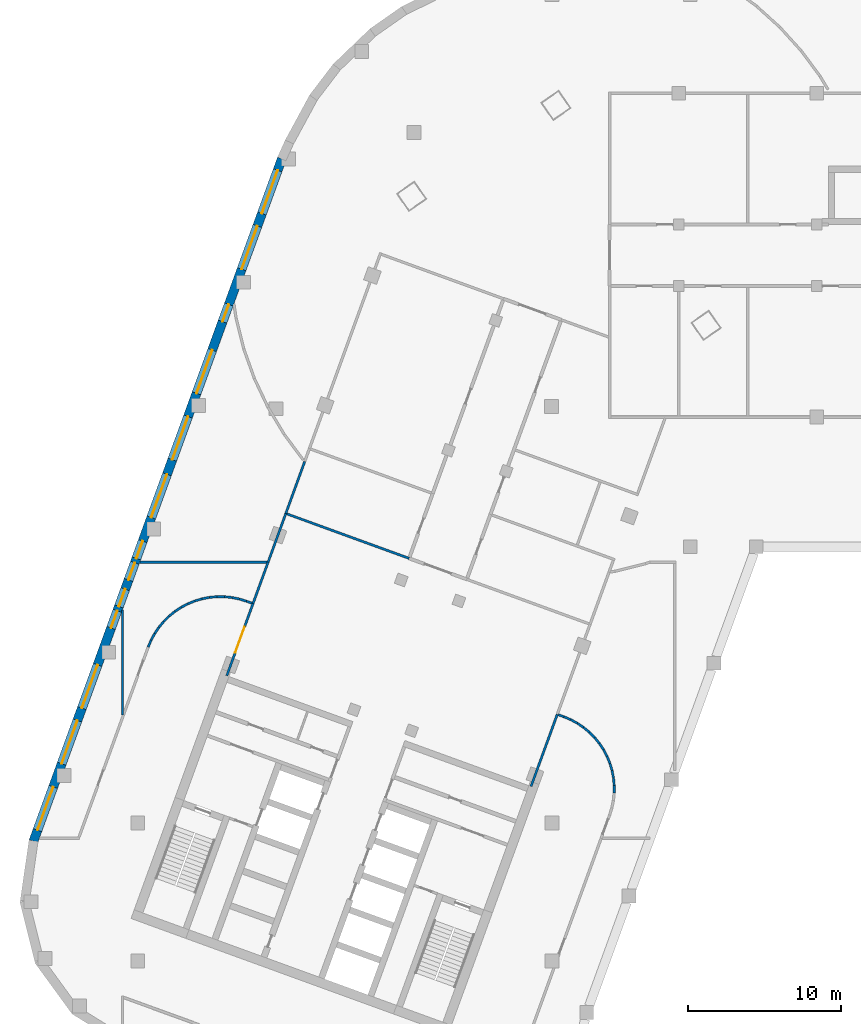
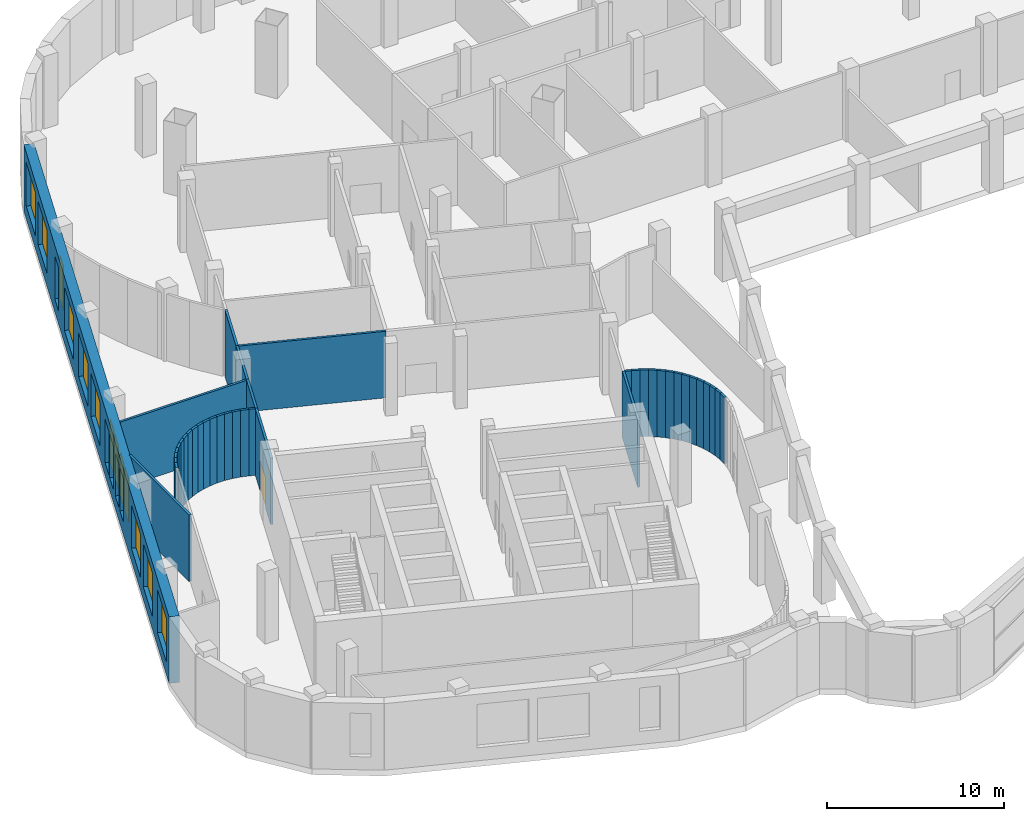
# One storey, part 12 of 25: 40 walls, 13 windows, 1 door, 14 openings.
"""IFC4 building model written with IfcOpenShell, lengths in metres."""

import ifcopenshell
import ifcopenshell.guid

model = None  # the IFC model being written
_history = None  # IfcOwnerHistory: only IFC2X3 demands one
_inside = {}  # id of a spatial element -> (the spatial element, [elements in it])
_under = {}  # id of a project, library or spatial element -> (it, [spatial elements below it])
_declared = {}  # id of a project -> (the project, [libraries it declares])
_typed = {}  # id of a type object -> (the type object, [elements of that type])
_made_of = {}  # id of a material, layer set ... -> (it, [elements and type objects made of it])


def new_model(schema):
    """Start an empty IFC model of exactly this schema.

    Asked for "IFC4X3", IfcOpenShell would pick the latest addendum, in which some entities
    have other attributes; the version numbers below select the first issue.
    IFC2X3 requires an IfcOwnerHistory on every rooted entity: one is made here for all.
    """
    global model, _history
    if schema == "IFC4X3":
        model = ifcopenshell.file(schema_version=(4, 3, 0, 0))
    else:
        model = ifcopenshell.file(schema=schema)
    _inside.clear()
    _under.clear()
    _declared.clear()
    _typed.clear()
    _made_of.clear()
    _history = None
    if model.schema == "IFC2X3":
        org = make("IfcOrganization", Name="unknown")
        user = make(
            "IfcPersonAndOrganization",
            ThePerson=make("IfcPerson", FamilyName="unknown"),
            TheOrganization=org,
        )
        app = make(
            "IfcApplication",
            ApplicationDeveloper=org,
            Version="unknown",
            ApplicationFullName="unknown",
            ApplicationIdentifier="unknown",
        )
        _history = make(
            "IfcOwnerHistory",
            OwningUser=user,
            OwningApplication=app,
            ChangeAction="ADDED",
            CreationDate=0,
        )
    return model


def make(cls, **values):
    """One entity of the class cls with the attributes given. An attribute that is None is left unset."""
    return model.create_entity(
        cls, **{name: value for name, value in values.items() if value is not None}
    )


def rooted(cls, **values):
    """An entity with a GlobalId (a new one), such as an element, a storey or a relation."""
    return make(cls, GlobalId=ifcopenshell.guid.new(), OwnerHistory=_history, **values)


def si_unit(unit_type, name, prefix=None):
    """IfcSIUnit, for example si_unit("LENGTHUNIT", "METRE", prefix="MILLI")."""
    return make("IfcSIUnit", UnitType=unit_type, Prefix=prefix, Name=name)


def assignment(units):
    """IfcUnitAssignment: the units of a project."""
    return None if units is None else make("IfcUnitAssignment", Units=units)


def point(xyz):
    """IfcCartesianPoint."""
    return None if xyz is None else make("IfcCartesianPoint", Coordinates=xyz)


def direction(xyz):
    """IfcDirection."""
    return None if xyz is None else make("IfcDirection", DirectionRatios=xyz)


def frame(location, z_axis=None, x_axis=None):
    """IfcAxis2Placement3D, a coordinate frame: its origin and axes. An axis left out is left unset."""
    return make(
        "IfcAxis2Placement3D",
        Location=point(location),
        Axis=direction(z_axis),
        RefDirection=direction(x_axis),
    )


def frame_2d(location, x_axis=None):
    """IfcAxis2Placement2D, a coordinate frame in the plane: its origin and x axis."""
    return make(
        "IfcAxis2Placement2D", Location=point(location), RefDirection=direction(x_axis)
    )


def origin():
    """The frame at (0, 0, 0) with its axes left unset."""
    return frame((0.0, 0.0, 0.0))


def place(relative_to, where):
    """IfcLocalPlacement: puts the frame where relative to a parent placement (None: the world)."""
    return make(
        "IfcLocalPlacement", PlacementRelTo=relative_to, RelativePlacement=where
    )


def context(
    kind, dimensions, precision=None, world=None, true_north=None, identifier=None
):
    """IfcGeometricRepresentationContext, for example the 3D "Model" context."""
    return make(
        "IfcGeometricRepresentationContext",
        ContextIdentifier=identifier,
        ContextType=kind,
        CoordinateSpaceDimension=dimensions,
        Precision=precision,
        WorldCoordinateSystem=world,
        TrueNorth=true_north,
    )


def subcontext(parent, identifier, kind, view, scale=None):
    """IfcGeometricRepresentationSubContext, for example "Body" below "Model"."""
    return make(
        "IfcGeometricRepresentationSubContext",
        ContextIdentifier=identifier,
        ContextType=kind,
        ParentContext=parent,
        TargetScale=scale,
        TargetView=view,
    )


def project(units=None, contexts=None):
    """IfcProject with its units and contexts."""
    return rooted(
        "IfcProject",
        Name="project",
        RepresentationContexts=contexts,
        UnitsInContext=assignment(units),
    )


def spatial(cls, under=None, at=None, **own):
    """A site, building, storey or space (cls), placed at a placement, below another one or the project."""
    s = rooted(cls, ObjectPlacement=at, **own)
    if under is not None:
        _under.setdefault(under.id(), (under, []))[1].append(s)
    return s


def profile(cls, at=None, kind="AREA", **sizes):
    """A parametric profile (cls). Its sizes go by their IFC names, for example OverallWidth=200.0."""
    return make(cls, ProfileType=kind, Position=at, **sizes)


def rectangle(**sizes):
    """IfcRectangleProfileDef."""
    return profile("IfcRectangleProfileDef", **sizes)


def extrude(swept, where, along, depth):
    """IfcExtrudedAreaSolid: the profile swept, set in the frame where, extruded along a direction by depth."""
    return make(
        "IfcExtrudedAreaSolid",
        SweptArea=swept,
        Position=where,
        ExtrudedDirection=direction(along),
        Depth=depth,
    )


def shape(context_of_items, identifier, shape_type, items):
    """IfcShapeRepresentation: the items that make up one representation, for example the "Body"."""
    return make(
        "IfcShapeRepresentation",
        ContextOfItems=context_of_items,
        RepresentationIdentifier=identifier,
        RepresentationType=shape_type,
        Items=items,
    )


def material(Name=None, Category=None):
    """IfcMaterial."""
    return make("IfcMaterial", Name=Name, Category=Category)


def layer(
    of_material, thickness, ventilated=None, Name=None, Category=None, Priority=None
):
    """IfcMaterialLayer: one layer of a wall or slab, of a material (None: an air gap)."""
    return make(
        "IfcMaterialLayer",
        Material=of_material,
        LayerThickness=thickness,
        IsVentilated=ventilated,
        Name=Name,
        Category=Category,
        Priority=Priority,
    )


def layer_set(layers, Name=None):
    """IfcMaterialLayerSet."""
    return make("IfcMaterialLayerSet", MaterialLayers=layers, LayerSetName=Name)


def made_of(thing, what):
    """Note that an element or type object is made of a material, layer set ...; save() writes the relation."""
    if what is not None:
        _made_of.setdefault(what.id(), (what, []))[1].append(thing)
    return thing


def type_object(cls, material=None, **own):
    """A type object (cls), such as IfcWallType, which elements share."""
    return made_of(rooted(cls, **own), material)


def element(
    cls,
    number,
    at=None,
    inside=None,
    cuts=None,
    type_object=None,
    material=None,
    context=None,
    identifier="Body",
    shape_type=None,
    held_by="IfcProductDefinitionShape",
    body=None,
    shapes=None,
    **own,
):
    """One element of the class cls, such as IfcWall. Its Tag is "e" and its number.

    at: its placement. inside: the storey or other place that contains it. cuts: it is an
    opening in that element (IfcRelVoidsElement). A single representation is given by context,
    identifier, shape_type and body (its items); several are given by shapes. held_by: the class
    of the entity that holds the representations. save() writes the other relations.
    """
    e = rooted(cls, Tag="e%d" % number, ObjectPlacement=at, **own)
    if body is not None:
        shapes = [shape(context, identifier, shape_type, body)]
    if shapes is not None:
        e.Representation = make(held_by, Representations=shapes)
    if inside is not None:
        _inside.setdefault(inside.id(), (inside, []))[1].append(e)
    if cuts is not None:
        rooted(
            "IfcRelVoidsElement", RelatingBuildingElement=cuts, RelatedOpeningElement=e
        )
    if type_object is not None:
        _typed.setdefault(type_object.id(), (type_object, []))[1].append(e)
    return made_of(e, material)


def fill(opening, filler):
    """IfcRelFillsElement: the door or window that sits in an opening."""
    return rooted(
        "IfcRelFillsElement",
        RelatingOpeningElement=opening,
        RelatedBuildingElement=filler,
    )


def aggregate(whole, parts):
    """IfcRelAggregates: a whole, such as a stair, and the parts it consists of."""
    return rooted("IfcRelAggregates", RelatingObject=whole, RelatedObjects=parts)


def save(model, path):
    """Write the relations noted so far, then the file.

    IfcRelAggregates (storeys below a building ...), IfcRelContainedInSpatialStructure (elements
    in a storey), IfcRelDefinesByType, IfcRelAssociatesMaterial and IfcRelDeclares: one each for
    every whole, place, type object, material and project.
    """
    for whole, parts in _under.values():
        aggregate(whole, parts)
    for where, things in _inside.values():
        rooted(
            "IfcRelContainedInSpatialStructure",
            RelatedElements=things,
            RelatingStructure=where,
        )
    for kind, things in _typed.values():
        rooted("IfcRelDefinesByType", RelatedObjects=things, RelatingType=kind)
    for what, things in _made_of.values():
        rooted("IfcRelAssociatesMaterial", RelatedObjects=things, RelatingMaterial=what)
    for by, libraries in _declared.values():
        rooted("IfcRelDeclares", RelatingContext=by, RelatedDefinitions=libraries)
    model.write(path)


model = new_model("IFC4")

# Units and contexts
model_context = context("Model", 3, precision=1e-05, world=origin(), true_north=direction((0.0, 1.0)))
body_context = subcontext(model_context, "Body", "Model", "MODEL_VIEW")
ifc_project = project(units=[si_unit("LENGTHUNIT", "METRE"), si_unit("AREAUNIT", "SQUARE_METRE"), si_unit("VOLUMEUNIT", "CUBIC_METRE"), si_unit("PLANEANGLEUNIT", "RADIAN"), si_unit("MASSUNIT", "GRAM", prefix="KILO")], contexts=[model_context])

# Site, building, storey
site_placement = place(None, origin())
site = spatial("IfcSite", under=ifc_project, at=site_placement, CompositionType="ELEMENT")
building_placement = place(site_placement, origin())
building = spatial("IfcBuilding", under=site, at=building_placement, Name="Skarvind Civic Tower", CompositionType="ELEMENT")
storey_placement = place(building_placement, frame((0.0, 0.0, 7.5)))
storey = spatial("IfcBuildingStorey", under=building, at=storey_placement, Name="L01", CompositionType="ELEMENT", Elevation=7.5)

# Walls
ifc_material_1 = material(Name="Plasterboard partition on steel studs", Category="steel")
ifc_layer_1 = layer(ifc_material_1, 0.14990234375)
ifc_layer_set_1 = layer_set([ifc_layer_1], Name="PARTITION 150")
wall_type_1 = type_object("IfcWallType", Name="PARTITION 150", PredefinedType="PARTITIONING", material=ifc_layer_set_1)
wall_1_placement = place(storey_placement, frame((18.0, 98.0458984375, 0.0), z_axis=(0.0, 0.0, 1.0), x_axis=(0.0, 1.0, 0.0)))
element("IfcWall", 1, at=wall_1_placement, inside=storey, type_object=wall_type_1, Name="Podium partition L01 005", PredefinedType="PARTITIONING", context=body_context, shape_type="SweptSolid", body=[
    extrude(rectangle(XDim=6.822998046875, YDim=0.14990234375, at=frame_2d((3.41162109375, 0.0))), origin(), (0.0, 0.0, 1.0), 4.60009765625),
])
wall_2_placement = place(storey_placement, frame((19.139892578125, 108.0, 0.0), z_axis=(0.0, 0.0, 1.0), x_axis=(1.0, 0.0, 0.0)))
element("IfcWall", 2, at=wall_2_placement, inside=storey, type_object=wall_type_1, Name="Podium partition L01 006", PredefinedType="PARTITIONING", context=body_context, shape_type="SweptSolid", body=[
    extrude(rectangle(XDim=8.274169921875, YDim=0.14990234375, at=frame_2d((4.13720703125, 0.0))), origin(), (0.0, 0.0, 1.0), 4.60009765625),
])
wall_3_placement = place(storey_placement, frame((19.677001953125, 102.4599609375, 0.0), z_axis=(0.0, 0.0, 1.0), x_axis=(0.386429931229, 0.922318767157, 0.0)))
element("IfcWall", 3, at=wall_3_placement, inside=storey, type_object=wall_type_1, Name="Podium partition L01 007", PredefinedType="PARTITIONING", context=body_context, shape_type="SweptSolid", body=[
    extrude(rectangle(XDim=0.49658203125, YDim=0.14990234375, at=frame_2d((0.248291015625, 0.0))), origin(), (0.0, 0.0, 1.0), 4.60009765625),
])
wall_4_placement = place(storey_placement, frame((19.865966796875, 102.912109375, 0.0), z_axis=(0.0, 0.0, 1.0), x_axis=(0.478336447807, 0.878176658025, 0.0)))
element("IfcWall", 4, at=wall_4_placement, inside=storey, type_object=wall_type_1, Name="Podium partition L01 008", PredefinedType="PARTITIONING", context=body_context, shape_type="SweptSolid", body=[
    extrude(rectangle(XDim=0.49755859375, YDim=0.14990234375, at=frame_2d((0.248779296875, 0.0))), origin(), (0.0, 0.0, 1.0), 4.60009765625),
])
wall_5_placement = place(storey_placement, frame((20.10009765625, 103.343017578125, 0.0), z_axis=(0.0, 0.0, 1.0), x_axis=(0.559439200494, 0.828871389874, 0.0)))
element("IfcWall", 5, at=wall_5_placement, inside=storey, type_object=wall_type_1, Name="Podium partition L01 009", PredefinedType="PARTITIONING", context=body_context, shape_type="SweptSolid", body=[
    extrude(rectangle(XDim=0.498291015625, YDim=0.14990234375, at=frame_2d((0.2490234375, 0.0))), origin(), (0.0, 0.0, 1.0), 4.60009765625),
])
wall_6_placement = place(storey_placement, frame((20.375, 103.75, 0.0), z_axis=(0.0, 0.0, 1.0), x_axis=(0.637426997618, 0.77051075444, 0.0)))
element("IfcWall", 6, at=wall_6_placement, inside=storey, type_object=wall_type_1, Name="Podium partition L01 010", PredefinedType="PARTITIONING", context=body_context, shape_type="SweptSolid", body=[
    extrude(rectangle(XDim=0.4970703125, YDim=0.14990234375, at=frame_2d((0.24853515625, 0.0))), origin(), (0.0, 0.0, 1.0), 4.60009765625),
])
wall_7_placement = place(storey_placement, frame((20.68701171875, 104.126953125, 0.0), z_axis=(0.0, 0.0, 1.0), x_axis=(0.711007970504, 0.703183948821, 0.0)))
element("IfcWall", 7, at=wall_7_placement, inside=storey, type_object=wall_type_1, Name="Podium partition L01 011", PredefinedType="PARTITIONING", context=body_context, shape_type="SweptSolid", body=[
    extrude(rectangle(XDim=0.499267578125, YDim=0.14990234375, at=frame_2d((0.24951171875, 0.0))), origin(), (0.0, 0.0, 1.0), 4.60009765625),
])
wall_8_placement = place(storey_placement, frame((21.035888671875, 104.472900390625, 0.0), z_axis=(0.0, 0.0, 1.0), x_axis=(0.77650322697, 0.630113274345, 0.0)))
element("IfcWall", 8, at=wall_8_placement, inside=storey, type_object=wall_type_1, Name="Podium partition L01 012", PredefinedType="PARTITIONING", context=body_context, shape_type="SweptSolid", body=[
    extrude(rectangle(XDim=0.49853515625, YDim=0.14990234375, at=frame_2d((0.249267578125, 0.0))), origin(), (0.0, 0.0, 1.0), 4.60009765625),
])
for number, where, z_axis, x_axis, name in (
    (9, (21.4169921875, 104.782958984375, 0.0), (0.0, 0.0, 1.0), (0.835203810699, 0.549940537326, 0.0), "Podium partition L01 013"),
    (10, (21.826904296875, 105.052978515625, 0.0), (0.0, 0.0, 1.0), (0.883895214997, 0.467684988967, 0.0), "Podium partition L01 014"),
):
    element("IfcWall", number, at=place(storey_placement, frame(where, z_axis=z_axis, x_axis=x_axis)), inside=storey, type_object=wall_type_1, Name=name, PredefinedType="PARTITIONING", context=body_context, shape_type="SweptSolid", body=[
        extrude(rectangle(XDim=0.498046875, YDim=0.14990234375, at=frame_2d((0.2490234375, 0.0))), origin(), (0.0, 0.0, 1.0), 4.60009765625),
    ])
wall_9_placement = place(storey_placement, frame((22.260986328125, 105.282958984375, 0.0), z_axis=(0.0, 0.0, 1.0), x_axis=(0.926359379867, 0.376640809436, 0.0)))
element("IfcWall", 11, at=wall_9_placement, inside=storey, type_object=wall_type_1, Name="Podium partition L01 015", PredefinedType="PARTITIONING", context=body_context, shape_type="SweptSolid", body=[
    extrude(rectangle(XDim=0.49658203125, YDim=0.14990234375, at=frame_2d((0.248291015625, 0.0))), origin(), (0.0, 0.0, 1.0), 4.60009765625),
])
wall_10_placement = place(storey_placement, frame((22.714111328125, 105.468017578125, 0.0), z_axis=(0.0, 0.0, 1.0), x_axis=(0.958511041414, 0.285055404243, 0.0)))
element("IfcWall", 12, at=wall_10_placement, inside=storey, type_object=wall_type_1, Name="Podium partition L01 016", PredefinedType="PARTITIONING", context=body_context, shape_type="SweptSolid", body=[
    extrude(rectangle(XDim=0.49853515625, YDim=0.14990234375, at=frame_2d((0.249267578125, 0.0))), origin(), (0.0, 0.0, 1.0), 4.60009765625),
])
wall_11_placement = place(storey_placement, frame((23.18408203125, 105.60791015625, 0.0), z_axis=(0.0, 0.0, 1.0), x_axis=(0.981729772821, 0.190280459207, 0.0)))
element("IfcWall", 13, at=wall_11_placement, inside=storey, type_object=wall_type_1, Name="Podium partition L01 017", PredefinedType="PARTITIONING", context=body_context, shape_type="SweptSolid", body=[
    extrude(rectangle(XDim=0.4990234375, YDim=0.14990234375, at=frame_2d((0.24951171875, 0.0))), origin(), (0.0, 0.0, 1.0), 4.60009765625),
])
wall_12_placement = place(storey_placement, frame((23.666015625, 105.701904296875, 0.0), z_axis=(0.0, 0.0, 1.0), x_axis=(0.995719029091, 0.092431678044, 0.0)))
element("IfcWall", 14, at=wall_12_placement, inside=storey, type_object=wall_type_1, Name="Podium partition L01 018", PredefinedType="PARTITIONING", context=body_context, shape_type="SweptSolid", body=[
    extrude(rectangle(XDim=0.499267578125, YDim=0.14990234375, at=frame_2d((0.24951171875, 0.0))), origin(), (0.0, 0.0, 1.0), 4.60009765625),
])
wall_13_placement = place(storey_placement, frame((24.155029296875, 105.748046875, 0.0), z_axis=(0.0, 0.0, 1.0), x_axis=(0.999982699411, -0.005882251173, 0.0)))
element("IfcWall", 15, at=wall_13_placement, inside=storey, type_object=wall_type_1, Name="Podium partition L01 019", PredefinedType="PARTITIONING", context=body_context, shape_type="SweptSolid", body=[
    extrude(rectangle(XDim=0.498046875, YDim=0.14990234375, at=frame_2d((0.2490234375, 0.0))), origin(), (0.0, 0.0, 1.0), 4.60009765625),
])
wall_14_placement = place(storey_placement, frame((24.64501953125, 105.7451171875, 0.0), z_axis=(0.0, 0.0, 1.0), x_axis=(0.994752095055, -0.102314560958, 0.0)))
element("IfcWall", 16, at=wall_14_placement, inside=storey, type_object=wall_type_1, Name="Podium partition L01 020", PredefinedType="PARTITIONING", context=body_context, shape_type="SweptSolid", body=[
    extrude(rectangle(XDim=0.498779296875, YDim=0.14990234375, at=frame_2d((0.24951171875, 0.0))), origin(), (0.0, 0.0, 1.0), 4.60009765625),
])

# Wall, opening, door
wall_15_placement = place(storey_placement, frame((24.800048828125, 100.597900390625, 0.0), z_axis=(0.0, 0.0, 1.0), x_axis=(0.34194689438, 0.939719277989, 0.0)))
wall_15 = element("IfcWall", 17, at=wall_15_placement, inside=storey, type_object=wall_type_1, Name="Podium partition L01 021", PredefinedType="PARTITIONING", context=body_context, shape_type="SweptSolid", body=[
    extrude(rectangle(XDim=5.000732421875, YDim=0.14990234375, at=frame_2d((2.50048828125, 0.0))), origin(), (0.0, 0.0, 1.0), 4.60009765625),
])
opening_1_placement = place(wall_15_placement, frame((1.60009765625, 0.0, 0.0)))
opening_1 = element("IfcOpeningElement", 18, at=opening_1_placement, cuts=wall_15, Name="Opening L01-D203", PredefinedType="OPENING", context=body_context, shape_type="SweptSolid", body=[
    extrude(rectangle(XDim=1.800048828125, YDim=2.10009765625, at=frame_2d((0.89990234375, 1.050048828125))), frame((0.0, 0.0849609375, 0.0), z_axis=(0.0, -1.0, 0.0), x_axis=(1.0, 0.0, 0.0)), (0.0, 0.0, 1.0), 0.169921875),
])
ifc_material_2 = material(Name="Timber veneer door leaf", Category="wood")
door_type = type_object("IfcDoorType", Name="DOOR 1800X2100 DOUBLE TIMBER", OperationType="NOTDEFINED", PredefinedType="DOOR", material=ifc_material_2)
door_placement = place(opening_1_placement, origin())
door = element("IfcDoor", 19, at=door_placement, inside=storey, type_object=door_type, Name="DOOR DOOR", OperationType="DOUBLE_DOOR_SINGLE_SWING", OverallHeight=2.10009765625, OverallWidth=1.800048828125, PredefinedType="DOOR", context=body_context, shape_type="SweptSolid", body=[
    extrude(rectangle(XDim=1.800048828125, YDim=2.10009765625, at=frame_2d((0.89990234375, 1.050048828125))), frame((0.0, 0.02490234375, 0.0), z_axis=(0.0, -1.0, 0.0), x_axis=(1.0, 0.0, 0.0)), (0.0, 0.0, 1.0), 0.050048828125),
])
fill(opening_1, door)

# Walls
wall_16_placement = place(storey_placement, frame((25.133056640625, 105.695068359375, 0.0), z_axis=(0.0, 0.0, 1.0), x_axis=(0.979686550711, -0.200534940485, 0.0)))
element("IfcWall", 20, at=wall_16_placement, inside=storey, type_object=wall_type_1, Name="Podium partition L01 022", PredefinedType="PARTITIONING", context=body_context, shape_type="SweptSolid", body=[
    extrude(rectangle(XDim=0.499267578125, YDim=0.14990234375, at=frame_2d((0.24951171875, 0.0))), origin(), (0.0, 0.0, 1.0), 4.60009765625),
])
wall_17_placement = place(storey_placement, frame((25.614013671875, 105.596923828125, 0.0), z_axis=(0.0, 0.0, 1.0), x_axis=(0.955332101268, -0.29553439104, 0.0)))
element("IfcWall", 21, at=wall_17_placement, inside=storey, type_object=wall_type_1, Name="Podium partition L01 025", PredefinedType="PARTITIONING", context=body_context, shape_type="SweptSolid", body=[
    extrude(rectangle(XDim=0.497314453125, YDim=0.14990234375, at=frame_2d((0.24853515625, 0.0))), origin(), (0.0, 0.0, 1.0), 4.60009765625),
])
wall_18_placement = place(storey_placement, frame((26.0849609375, 105.451904296875, 0.0), z_axis=(0.0, 0.0, 1.0), x_axis=(0.939944328342, -0.341327789109, 0.0)))
element("IfcWall", 22, at=wall_18_placement, inside=storey, type_object=wall_type_1, Name="Podium partition L01 027", PredefinedType="PARTITIONING", context=body_context, shape_type="SweptSolid", body=[
    extrude(rectangle(XDim=0.377685546875, YDim=0.14990234375, at=frame_2d((0.18896484375, 0.0))), origin(), (0.0, 0.0, 1.0), 4.60009765625),
])
wall_19_placement = place(storey_placement, frame((26.510009765625, 105.297119140625, 0.0), z_axis=(0.0, 0.0, 1.0), x_axis=(0.342056533425, 0.939679375075, 0.0)))
element("IfcWall", 23, at=wall_19_placement, inside=storey, type_object=wall_type_1, Name="Podium partition L01 028", PredefinedType="PARTITIONING", context=body_context, shape_type="SweptSolid", body=[
    extrude(rectangle(XDim=2.87646484375, YDim=0.14990234375, at=frame_2d((1.438232421875, 0.0))), origin(), (0.0, 0.0, 1.0), 4.60009765625),
])
wall_20_placement = place(storey_placement, frame((27.493896484375, 108.0, 0.0), z_axis=(0.0, 0.0, 1.0), x_axis=(0.341841854689, 0.93975749339, 0.0)))
element("IfcWall", 24, at=wall_20_placement, inside=storey, type_object=wall_type_1, Name="Podium partition L01 031", PredefinedType="PARTITIONING", context=body_context, shape_type="SweptSolid", body=[
    extrude(rectangle(XDim=3.373046875, YDim=0.14990234375, at=frame_2d((1.6865234375, 0.0))), origin(), (0.0, 0.0, 1.0), 4.60009765625),
])
wall_21_placement = place(storey_placement, frame((28.64697265625, 111.169921875, 0.0), z_axis=(0.0, 0.0, 1.0), x_axis=(0.341993373756, 0.939702363681, 0.0)))
element("IfcWall", 25, at=wall_21_placement, inside=storey, type_object=wall_type_1, Name="Podium partition L01 033", PredefinedType="PARTITIONING", context=body_context, shape_type="SweptSolid", body=[
    extrude(rectangle(XDim=3.602294921875, YDim=0.14990234375, at=frame_2d((1.80126953125, 0.0))), origin(), (0.0, 0.0, 1.0), 4.60009765625),
])
wall_22_placement = place(storey_placement, frame((28.717041015625, 111.14404296875, 0.0), z_axis=(0.0, 0.0, 1.0), x_axis=(0.939731172492, -0.341914204803, 0.0)))
element("IfcWall", 26, at=wall_22_placement, inside=storey, type_object=wall_type_1, Name="Podium partition L01 034", PredefinedType="PARTITIONING", context=body_context, shape_type="SweptSolid", body=[
    extrude(rectangle(XDim=8.4755859375, YDim=0.14990234375, at=frame_2d((4.23779296875, 0.0))), origin(), (0.0, 0.0, 1.0), 4.60009765625),
])
wall_23_placement = place(storey_placement, frame((44.626953125, 93.382080078125, 0.0), z_axis=(0.0, 0.0, 1.0), x_axis=(0.342025351501, 0.939690725149, 0.0)))
element("IfcWall", 27, at=wall_23_placement, inside=storey, type_object=wall_type_1, Name="Podium partition L01 068", PredefinedType="PARTITIONING", context=body_context, shape_type="SweptSolid", body=[
    extrude(rectangle(XDim=4.99951171875, YDim=0.14990234375, at=frame_2d((2.499755859375, 0.0))), origin(), (0.0, 0.0, 1.0), 4.60009765625),
])
wall_24_placement = place(storey_placement, frame((46.406982421875, 98.053955078125, 0.0), z_axis=(0.0, 0.0, 1.0), x_axis=(0.939944328342, -0.341327789109, 0.0)))
element("IfcWall", 28, at=wall_24_placement, inside=storey, type_object=wall_type_1, Name="Podium partition L01 069", PredefinedType="PARTITIONING", context=body_context, shape_type="SweptSolid", body=[
    extrude(rectangle(XDim=0.377685546875, YDim=0.14990234375, at=frame_2d((0.18896484375, 0.0))), origin(), (0.0, 0.0, 1.0), 4.60009765625),
])
wall_25_placement = place(storey_placement, frame((46.758056640625, 97.927001953125, 0.0), z_axis=(0.0, 0.0, 1.0), x_axis=(0.922024303007, -0.387131999019, 0.0)))
element("IfcWall", 29, at=wall_25_placement, inside=storey, type_object=wall_type_1, Name="Podium partition L01 072", PredefinedType="PARTITIONING", context=body_context, shape_type="SweptSolid", body=[
    extrude(rectangle(XDim=0.49560546875, YDim=0.14990234375, at=frame_2d((0.247802734375, 0.0))), origin(), (0.0, 0.0, 1.0), 4.60009765625),
])
wall_26_placement = place(storey_placement, frame((47.208984375, 97.738037109375, 0.0), z_axis=(0.0, 0.0, 1.0), x_axis=(0.878624509573, -0.47751332042, 0.0)))
element("IfcWall", 30, at=wall_26_placement, inside=storey, type_object=wall_type_1, Name="Podium partition L01 073", PredefinedType="PARTITIONING", context=body_context, shape_type="SweptSolid", body=[
    extrude(rectangle(XDim=0.49853515625, YDim=0.14990234375, at=frame_2d((0.249267578125, 0.0))), origin(), (0.0, 0.0, 1.0), 4.60009765625),
])
wall_27_placement = place(storey_placement, frame((47.64111328125, 97.50390625, 0.0), z_axis=(0.0, 0.0, 1.0), x_axis=(0.829013848944, -0.559228073561, 0.0)))
element("IfcWall", 31, at=wall_27_placement, inside=storey, type_object=wall_type_1, Name="Podium partition L01 075", PredefinedType="PARTITIONING", context=body_context, shape_type="SweptSolid", body=[
    extrude(rectangle(XDim=0.496826171875, YDim=0.14990234375, at=frame_2d((0.24853515625, 0.0))), origin(), (0.0, 0.0, 1.0), 4.60009765625),
])
wall_28_placement = place(storey_placement, frame((48.047119140625, 97.22998046875, 0.0), z_axis=(0.0, 0.0, 1.0), x_axis=(0.770145329221, -0.637868459699, 0.0)))
element("IfcWall", 32, at=wall_28_placement, inside=storey, type_object=wall_type_1, Name="Podium partition L01 076", PredefinedType="PARTITIONING", context=body_context, shape_type="SweptSolid", body=[
    extrude(rectangle(XDim=0.498291015625, YDim=0.14990234375, at=frame_2d((0.2490234375, 0.0))), origin(), (0.0, 0.0, 1.0), 4.60009765625),
])
wall_29_placement = place(storey_placement, frame((48.425048828125, 96.9169921875, 0.0), z_axis=(0.0, 0.0, 1.0), x_axis=(0.702936615275, -0.711252497293, 0.0)))
element("IfcWall", 33, at=wall_29_placement, inside=storey, type_object=wall_type_1, Name="Podium partition L01 077", PredefinedType="PARTITIONING", context=body_context, shape_type="SweptSolid", body=[
    extrude(rectangle(XDim=0.4990234375, YDim=0.14990234375, at=frame_2d((0.24951171875, 0.0))), origin(), (0.0, 0.0, 1.0), 4.60009765625),
])
for number, where, z_axis, x_axis, name in (
    (34, (48.77099609375, 96.568115234375, 0.0), (0.0, 0.0, 1.0), (0.62863381992, -0.777701434004, 0.0), "Podium partition L01 079"),
    (35, (49.080078125, 96.18701171875, 0.0), (0.0, 0.0, 1.0), (0.552207910721, -0.833706437145, 0.0), "Podium partition L01 080"),
):
    element("IfcWall", number, at=place(storey_placement, frame(where, z_axis=z_axis, x_axis=x_axis)), inside=storey, type_object=wall_type_1, Name=name, PredefinedType="PARTITIONING", context=body_context, shape_type="SweptSolid", body=[
        extrude(rectangle(XDim=0.497802734375, YDim=0.14990234375, at=frame_2d((0.2490234375, 0.0))), origin(), (0.0, 0.0, 1.0), 4.60009765625),
    ])
wall_30_placement = place(storey_placement, frame((49.35107421875, 95.778076171875, 0.0), z_axis=(0.0, 0.0, 1.0), x_axis=(0.46615085347, -0.884705251374, 0.0)))
element("IfcWall", 36, at=wall_30_placement, inside=storey, type_object=wall_type_1, Name="Podium partition L01 083", PredefinedType="PARTITIONING", context=body_context, shape_type="SweptSolid", body=[
    extrude(rectangle(XDim=0.49755859375, YDim=0.14990234375, at=frame_2d((0.248779296875, 0.0))), origin(), (0.0, 0.0, 1.0), 4.60009765625),
])
wall_31_placement = place(storey_placement, frame((49.580078125, 95.343994140625, 0.0), z_axis=(0.0, 0.0, 1.0), x_axis=(0.378326719955, -0.925672130383, 0.0)))
element("IfcWall", 37, at=wall_31_placement, inside=storey, type_object=wall_type_1, Name="Podium partition L01 084", PredefinedType="PARTITIONING", context=body_context, shape_type="SweptSolid", body=[
    extrude(rectangle(XDim=0.496826171875, YDim=0.14990234375, at=frame_2d((0.24853515625, 0.0))), origin(), (0.0, 0.0, 1.0), 4.60009765625),
])
wall_32_placement = place(storey_placement, frame((49.76611328125, 94.89111328125, 0.0), z_axis=(0.0, 0.0, 1.0), x_axis=(0.283938571221, -0.958842472867, 0.0)))
element("IfcWall", 38, at=wall_32_placement, inside=storey, type_object=wall_type_1, Name="Podium partition L01 095", PredefinedType="PARTITIONING", context=body_context, shape_type="SweptSolid", body=[
    extrude(rectangle(XDim=0.49951171875, YDim=0.14990234375, at=frame_2d((0.249755859375, 0.0))), origin(), (0.0, 0.0, 1.0), 4.60009765625),
])
wall_33_placement = place(storey_placement, frame((49.906005859375, 94.419921875, 0.0), z_axis=(0.0, 0.0, 1.0), x_axis=(0.190646652196, -0.981658725834, 0.0)))
element("IfcWall", 39, at=wall_33_placement, inside=storey, type_object=wall_type_1, Name="Podium partition L01 097", PredefinedType="PARTITIONING", context=body_context, shape_type="SweptSolid", body=[
    extrude(rectangle(XDim=0.498046875, YDim=0.14990234375, at=frame_2d((0.2490234375, 0.0))), origin(), (0.0, 0.0, 1.0), 4.60009765625),
])
for number, where, z_axis, x_axis, name in (
    (40, (50.0, 93.93896484375, 0.0), (0.0, 0.0, 1.0), (0.090006472106, -0.995941180482, 0.0), "Podium partition L01 099"),
    (41, (50.04296875, 92.950927734375, 0.0), (0.0, 0.0, 1.0), (0.003913864348, 0.999992340804, 0.0), "Podium partition L01 100"),
):
    element("IfcWall", number, at=place(storey_placement, frame(where, z_axis=z_axis, x_axis=x_axis)), inside=storey, type_object=wall_type_1, Name=name, PredefinedType="PARTITIONING", context=body_context, shape_type="SweptSolid", body=[
        extrude(rectangle(XDim=0.4990234375, YDim=0.14990234375, at=frame_2d((0.24951171875, 0.0))), origin(), (0.0, 0.0, 1.0), 4.60009765625),
    ])

# Wall, openings, windows
ifc_material_3 = material(Name="Limestone masonry cladding on insulated backing", Category="masonry")
ifc_layer_2 = layer(ifc_material_3, 0.60009765625)
ifc_layer_set_2 = layer_set([ifc_layer_2], Name="WX1 STONE FACADE WALL 600")
wall_type_2 = type_object("IfcWallType", Name="WX1 STONE FACADE WALL 600", PredefinedType="SOLIDWALL", material=ifc_layer_set_2)
wall_34_placement = place(storey_placement, frame((12.199462890625, 89.80908203125, 0.0), z_axis=(0.0, 0.0, 1.0), x_axis=(0.342022998908, 0.939691581434, 0.0)))
wall_34 = element("IfcWall", 42, at=wall_34_placement, inside=storey, type_object=wall_type_2, Name="STONE FACADE WALL", PredefinedType="SOLIDWALL", context=body_context, shape_type="SweptSolid", body=[
    extrude(rectangle(XDim=47.33447265625, YDim=0.60009765625, at=frame_2d((23.667236328125, 0.0))), origin(), (0.0, 0.0, 1.0), 4.60009765625),
])
opening_2_placement = place(wall_34_placement, frame((0.77294921875, 0.0, 0.89990234375)))
opening_2 = element("IfcOpeningElement", 43, at=opening_2_placement, cuts=wall_34, Name="Opening WN2", PredefinedType="OPENING", context=body_context, shape_type="SweptSolid", body=[
    extrude(rectangle(XDim=3.0, YDim=3.0, at=frame_2d((1.5, 1.5))), frame((0.0, 0.31005859375, 0.0), z_axis=(0.0, -1.0, 0.0), x_axis=(1.0, 0.0, 0.0)), (0.0, 0.0, 1.0), 0.6201171875),
])
opening_3_placement = place(wall_34_placement, frame((5.37890625, 0.0, 0.89990234375)))
opening_3 = element("IfcOpeningElement", 44, at=opening_3_placement, cuts=wall_34, Name="Opening WN2", PredefinedType="OPENING", context=body_context, shape_type="SweptSolid", body=[
    extrude(rectangle(XDim=3.0, YDim=3.0, at=frame_2d((1.5, 1.5))), frame((0.0, 0.31005859375, 0.0), z_axis=(0.0, -1.0, 0.0), x_axis=(1.0, 0.0, 0.0)), (0.0, 0.0, 1.0), 0.6201171875),
])
opening_4_placement = place(wall_34_placement, frame((9.234619140625, 0.0, 0.89990234375)))
opening_4 = element("IfcOpeningElement", 45, at=opening_4_placement, cuts=wall_34, Name="Opening WN2", PredefinedType="OPENING", context=body_context, shape_type="SweptSolid", body=[
    extrude(rectangle(XDim=3.0, YDim=3.0, at=frame_2d((1.5, 1.5))), frame((0.0, 0.31005859375, 0.0), z_axis=(0.0, -1.0, 0.0), x_axis=(1.0, 0.0, 0.0)), (0.0, 0.0, 1.0), 0.6201171875),
])
opening_5_placement = place(wall_34_placement, frame((14.78564453125, 0.0, 0.89990234375)))
opening_5 = element("IfcOpeningElement", 46, at=opening_5_placement, cuts=wall_34, Name="Opening WN6", PredefinedType="OPENING", context=body_context, shape_type="SweptSolid", body=[
    extrude(rectangle(XDim=1.199951171875, YDim=3.0, at=frame_2d((0.60009765625, 1.5))), frame((0.0, 0.31005859375, 0.0), z_axis=(0.0, -1.0, 0.0), x_axis=(1.0, 0.0, 0.0)), (0.0, 0.0, 1.0), 0.6201171875),
])
opening_6_placement = place(wall_34_placement, frame((16.28564453125, 0.0, 0.89990234375)))
opening_6 = element("IfcOpeningElement", 47, at=opening_6_placement, cuts=wall_34, Name="Opening WN6", PredefinedType="OPENING", context=body_context, shape_type="SweptSolid", body=[
    extrude(rectangle(XDim=1.199951171875, YDim=3.0, at=frame_2d((0.60009765625, 1.5))), frame((0.0, 0.31005859375, 0.0), z_axis=(0.0, -1.0, 0.0), x_axis=(1.0, 0.0, 0.0)), (0.0, 0.0, 1.0), 0.6201171875),
])
opening_7_placement = place(wall_34_placement, frame((18.11767578125, 0.0, 0.89990234375)))
opening_7 = element("IfcOpeningElement", 48, at=opening_7_placement, cuts=wall_34, Name="Opening WN6", PredefinedType="OPENING", context=body_context, shape_type="SweptSolid", body=[
    extrude(rectangle(XDim=1.199951171875, YDim=3.0, at=frame_2d((0.60009765625, 1.5))), frame((0.0, 0.31005859375, 0.0), z_axis=(0.0, -1.0, 0.0), x_axis=(1.0, 0.0, 0.0)), (0.0, 0.0, 1.0), 0.6201171875),
])
opening_8_placement = place(wall_34_placement, frame((19.61767578125, 0.0, 0.89990234375)))
opening_8 = element("IfcOpeningElement", 49, at=opening_8_placement, cuts=wall_34, Name="Opening WN6", PredefinedType="OPENING", context=body_context, shape_type="SweptSolid", body=[
    extrude(rectangle(XDim=1.199951171875, YDim=3.0, at=frame_2d((0.60009765625, 1.5))), frame((0.0, 0.31005859375, 0.0), z_axis=(0.0, -1.0, 0.0), x_axis=(1.0, 0.0, 0.0)), (0.0, 0.0, 1.0), 0.6201171875),
])
opening_9_placement = place(wall_34_placement, frame((22.4521484375, 0.0, 0.89990234375)))
opening_9 = element("IfcOpeningElement", 50, at=opening_9_placement, cuts=wall_34, Name="Opening WN2", PredefinedType="OPENING", context=body_context, shape_type="SweptSolid", body=[
    extrude(rectangle(XDim=3.0, YDim=3.0, at=frame_2d((1.5, 1.5))), frame((0.0, 0.31005859375, 0.0), z_axis=(0.0, -1.0, 0.0), x_axis=(1.0, 0.0, 0.0)), (0.0, 0.0, 1.0), 0.6201171875),
])
opening_10_placement = place(wall_34_placement, frame((26.4580078125, 0.0, 0.89990234375)))
opening_10 = element("IfcOpeningElement", 51, at=opening_10_placement, cuts=wall_34, Name="Opening WN2", PredefinedType="OPENING", context=body_context, shape_type="SweptSolid", body=[
    extrude(rectangle(XDim=3.0, YDim=3.0, at=frame_2d((1.5, 1.5))), frame((0.0, 0.31005859375, 0.0), z_axis=(0.0, -1.0, 0.0), x_axis=(1.0, 0.0, 0.0)), (0.0, 0.0, 1.0), 0.6201171875),
])
opening_11_placement = place(wall_34_placement, frame((31.063720703125, 0.0, 0.89990234375)))
opening_11 = element("IfcOpeningElement", 52, at=opening_11_placement, cuts=wall_34, Name="Opening WN2", PredefinedType="OPENING", context=body_context, shape_type="SweptSolid", body=[
    extrude(rectangle(XDim=3.0, YDim=3.0, at=frame_2d((1.5, 1.5))), frame((0.0, 0.31005859375, 0.0), z_axis=(0.0, -1.0, 0.0), x_axis=(1.0, 0.0, 0.0)), (0.0, 0.0, 1.0), 0.6201171875),
])
opening_12_placement = place(wall_34_placement, frame((36.02880859375, 0.0, 0.89990234375)))
opening_12 = element("IfcOpeningElement", 53, at=opening_12_placement, cuts=wall_34, Name="Opening WN6", PredefinedType="OPENING", context=body_context, shape_type="SweptSolid", body=[
    extrude(rectangle(XDim=1.199951171875, YDim=3.0, at=frame_2d((0.60009765625, 1.5))), frame((0.0, 0.31005859375, 0.0), z_axis=(0.0, -1.0, 0.0), x_axis=(1.0, 0.0, 0.0)), (0.0, 0.0, 1.0), 0.6201171875),
])
opening_13_placement = place(wall_34_placement, frame((39.675537109375, 0.0, 0.89990234375)))
opening_13 = element("IfcOpeningElement", 54, at=opening_13_placement, cuts=wall_34, Name="Opening WN2", PredefinedType="OPENING", context=body_context, shape_type="SweptSolid", body=[
    extrude(rectangle(XDim=3.0, YDim=3.0, at=frame_2d((1.5, 1.5))), frame((0.0, 0.31005859375, 0.0), z_axis=(0.0, -1.0, 0.0), x_axis=(1.0, 0.0, 0.0)), (0.0, 0.0, 1.0), 0.6201171875),
])
opening_14_placement = place(wall_34_placement, frame((43.531494140625, 0.0, 0.89990234375)))
opening_14 = element("IfcOpeningElement", 55, at=opening_14_placement, cuts=wall_34, Name="Opening WN2", PredefinedType="OPENING", context=body_context, shape_type="SweptSolid", body=[
    extrude(rectangle(XDim=3.0, YDim=3.0, at=frame_2d((1.5, 1.5))), frame((0.0, 0.31005859375, 0.0), z_axis=(0.0, -1.0, 0.0), x_axis=(1.0, 0.0, 0.0)), (0.0, 0.0, 1.0), 0.6201171875),
])
ifc_material_4 = material(Name="Timber frame, double glazing, timber-lined reveal", Category="wood")
window_type_1 = type_object("IfcWindowType", Name="WN2 PODIUM STONE WINDOW 3000 x 3000", PartitioningType="SINGLE_PANEL", PredefinedType="WINDOW", material=ifc_material_4)
window_1_placement = place(opening_2_placement, origin())
window_1 = element("IfcWindow", 56, at=window_1_placement, inside=storey, type_object=window_type_1, Name="WN2 WINDOW", OverallHeight=3.0, OverallWidth=3.0, PartitioningType="SINGLE_PANEL", PredefinedType="WINDOW", context=body_context, shape_type="SweptSolid", body=[
    extrude(rectangle(XDim=3.0, YDim=3.0, at=frame_2d((1.5, 1.5))), frame((0.0, 0.030029296875, 0.0), z_axis=(0.0, -1.0, 0.0), x_axis=(1.0, 0.0, 0.0)), (0.0, 0.0, 1.0), 0.06005859375),
])
fill(opening_2, window_1)
window_2_placement = place(opening_3_placement, origin())
window_2 = element("IfcWindow", 57, at=window_2_placement, inside=storey, type_object=window_type_1, Name="WN2 WINDOW", OverallHeight=3.0, OverallWidth=3.0, PartitioningType="SINGLE_PANEL", PredefinedType="WINDOW", context=body_context, shape_type="SweptSolid", body=[
    extrude(rectangle(XDim=3.0, YDim=3.0, at=frame_2d((1.5, 1.5))), frame((0.0, 0.030029296875, 0.0), z_axis=(0.0, -1.0, 0.0), x_axis=(1.0, 0.0, 0.0)), (0.0, 0.0, 1.0), 0.06005859375),
])
fill(opening_3, window_2)
window_3_placement = place(opening_4_placement, origin())
window_3 = element("IfcWindow", 58, at=window_3_placement, inside=storey, type_object=window_type_1, Name="WN2 WINDOW", OverallHeight=3.0, OverallWidth=3.0, PartitioningType="SINGLE_PANEL", PredefinedType="WINDOW", context=body_context, shape_type="SweptSolid", body=[
    extrude(rectangle(XDim=3.0, YDim=3.0, at=frame_2d((1.5, 1.5))), frame((0.0, 0.030029296875, 0.0), z_axis=(0.0, -1.0, 0.0), x_axis=(1.0, 0.0, 0.0)), (0.0, 0.0, 1.0), 0.06005859375),
])
fill(opening_4, window_3)
window_4_placement = place(opening_9_placement, origin())
window_4 = element("IfcWindow", 59, at=window_4_placement, inside=storey, type_object=window_type_1, Name="WN2 WINDOW", OverallHeight=3.0, OverallWidth=3.0, PartitioningType="SINGLE_PANEL", PredefinedType="WINDOW", context=body_context, shape_type="SweptSolid", body=[
    extrude(rectangle(XDim=3.0, YDim=3.0, at=frame_2d((1.5, 1.5))), frame((0.0, 0.030029296875, 0.0), z_axis=(0.0, -1.0, 0.0), x_axis=(1.0, 0.0, 0.0)), (0.0, 0.0, 1.0), 0.06005859375),
])
fill(opening_9, window_4)
window_5_placement = place(opening_10_placement, origin())
window_5 = element("IfcWindow", 60, at=window_5_placement, inside=storey, type_object=window_type_1, Name="WN2 WINDOW", OverallHeight=3.0, OverallWidth=3.0, PartitioningType="SINGLE_PANEL", PredefinedType="WINDOW", context=body_context, shape_type="SweptSolid", body=[
    extrude(rectangle(XDim=3.0, YDim=3.0, at=frame_2d((1.5, 1.5))), frame((0.0, 0.030029296875, 0.0), z_axis=(0.0, -1.0, 0.0), x_axis=(1.0, 0.0, 0.0)), (0.0, 0.0, 1.0), 0.06005859375),
])
fill(opening_10, window_5)
window_6_placement = place(opening_11_placement, origin())
window_6 = element("IfcWindow", 61, at=window_6_placement, inside=storey, type_object=window_type_1, Name="WN2 WINDOW", OverallHeight=3.0, OverallWidth=3.0, PartitioningType="SINGLE_PANEL", PredefinedType="WINDOW", context=body_context, shape_type="SweptSolid", body=[
    extrude(rectangle(XDim=3.0, YDim=3.0, at=frame_2d((1.5, 1.5))), frame((0.0, 0.030029296875, 0.0), z_axis=(0.0, -1.0, 0.0), x_axis=(1.0, 0.0, 0.0)), (0.0, 0.0, 1.0), 0.06005859375),
])
fill(opening_11, window_6)
window_7_placement = place(opening_13_placement, origin())
window_7 = element("IfcWindow", 62, at=window_7_placement, inside=storey, type_object=window_type_1, Name="WN2 WINDOW", OverallHeight=3.0, OverallWidth=3.0, PartitioningType="SINGLE_PANEL", PredefinedType="WINDOW", context=body_context, shape_type="SweptSolid", body=[
    extrude(rectangle(XDim=3.0, YDim=3.0, at=frame_2d((1.5, 1.5))), frame((0.0, 0.030029296875, 0.0), z_axis=(0.0, -1.0, 0.0), x_axis=(1.0, 0.0, 0.0)), (0.0, 0.0, 1.0), 0.06005859375),
])
fill(opening_13, window_7)
window_8_placement = place(opening_14_placement, origin())
window_8 = element("IfcWindow", 63, at=window_8_placement, inside=storey, type_object=window_type_1, Name="WN2 WINDOW", OverallHeight=3.0, OverallWidth=3.0, PartitioningType="SINGLE_PANEL", PredefinedType="WINDOW", context=body_context, shape_type="SweptSolid", body=[
    extrude(rectangle(XDim=3.0, YDim=3.0, at=frame_2d((1.5, 1.5))), frame((0.0, 0.030029296875, 0.0), z_axis=(0.0, -1.0, 0.0), x_axis=(1.0, 0.0, 0.0)), (0.0, 0.0, 1.0), 0.06005859375),
])
fill(opening_14, window_8)
window_type_2 = type_object("IfcWindowType", Name="WN6 NARROW PODIUM WINDOW 1200 x 3000", PartitioningType="SINGLE_PANEL", PredefinedType="WINDOW", material=ifc_material_4)
window_9_placement = place(opening_5_placement, origin())
window_9 = element("IfcWindow", 64, at=window_9_placement, inside=storey, type_object=window_type_2, Name="WN6 WINDOW", OverallHeight=3.0, OverallWidth=1.199951171875, PartitioningType="SINGLE_PANEL", PredefinedType="WINDOW", context=body_context, shape_type="SweptSolid", body=[
    extrude(rectangle(XDim=1.199951171875, YDim=3.0, at=frame_2d((0.60009765625, 1.5))), frame((0.0, 0.030029296875, 0.0), z_axis=(0.0, -1.0, 0.0), x_axis=(1.0, 0.0, 0.0)), (0.0, 0.0, 1.0), 0.06005859375),
])
fill(opening_5, window_9)
window_10_placement = place(opening_6_placement, origin())
window_10 = element("IfcWindow", 65, at=window_10_placement, inside=storey, type_object=window_type_2, Name="WN6 WINDOW", OverallHeight=3.0, OverallWidth=1.199951171875, PartitioningType="SINGLE_PANEL", PredefinedType="WINDOW", context=body_context, shape_type="SweptSolid", body=[
    extrude(rectangle(XDim=1.199951171875, YDim=3.0, at=frame_2d((0.60009765625, 1.5))), frame((0.0, 0.030029296875, 0.0), z_axis=(0.0, -1.0, 0.0), x_axis=(1.0, 0.0, 0.0)), (0.0, 0.0, 1.0), 0.06005859375),
])
fill(opening_6, window_10)
window_11_placement = place(opening_7_placement, origin())
window_11 = element("IfcWindow", 66, at=window_11_placement, inside=storey, type_object=window_type_2, Name="WN6 WINDOW", OverallHeight=3.0, OverallWidth=1.199951171875, PartitioningType="SINGLE_PANEL", PredefinedType="WINDOW", context=body_context, shape_type="SweptSolid", body=[
    extrude(rectangle(XDim=1.199951171875, YDim=3.0, at=frame_2d((0.60009765625, 1.5))), frame((0.0, 0.030029296875, 0.0), z_axis=(0.0, -1.0, 0.0), x_axis=(1.0, 0.0, 0.0)), (0.0, 0.0, 1.0), 0.06005859375),
])
fill(opening_7, window_11)
window_12_placement = place(opening_8_placement, origin())
window_12 = element("IfcWindow", 67, at=window_12_placement, inside=storey, type_object=window_type_2, Name="WN6 WINDOW", OverallHeight=3.0, OverallWidth=1.199951171875, PartitioningType="SINGLE_PANEL", PredefinedType="WINDOW", context=body_context, shape_type="SweptSolid", body=[
    extrude(rectangle(XDim=1.199951171875, YDim=3.0, at=frame_2d((0.60009765625, 1.5))), frame((0.0, 0.030029296875, 0.0), z_axis=(0.0, -1.0, 0.0), x_axis=(1.0, 0.0, 0.0)), (0.0, 0.0, 1.0), 0.06005859375),
])
fill(opening_8, window_12)
window_13_placement = place(opening_12_placement, origin())
window_13 = element("IfcWindow", 68, at=window_13_placement, inside=storey, type_object=window_type_2, Name="WN6 WINDOW", OverallHeight=3.0, OverallWidth=1.199951171875, PartitioningType="SINGLE_PANEL", PredefinedType="WINDOW", context=body_context, shape_type="SweptSolid", body=[
    extrude(rectangle(XDim=1.199951171875, YDim=3.0, at=frame_2d((0.60009765625, 1.5))), frame((0.0, 0.030029296875, 0.0), z_axis=(0.0, -1.0, 0.0), x_axis=(1.0, 0.0, 0.0)), (0.0, 0.0, 1.0), 0.06005859375),
])
fill(opening_12, window_13)

save(model, "model.ifc")
